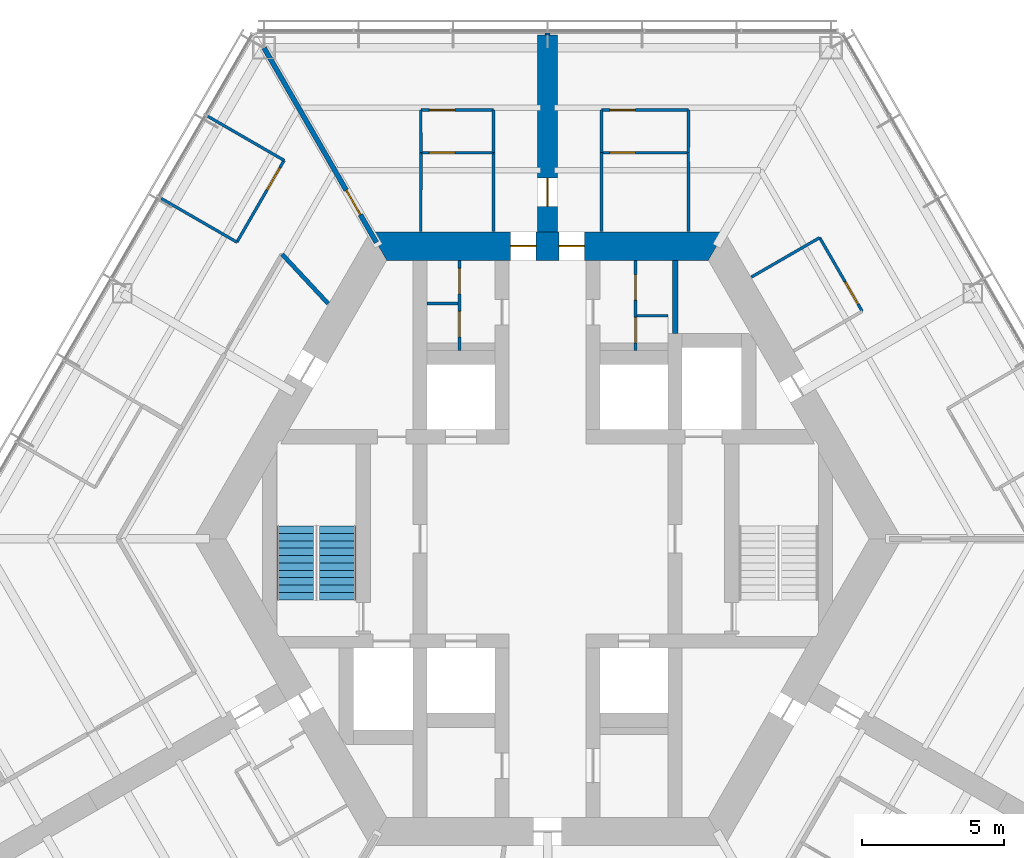
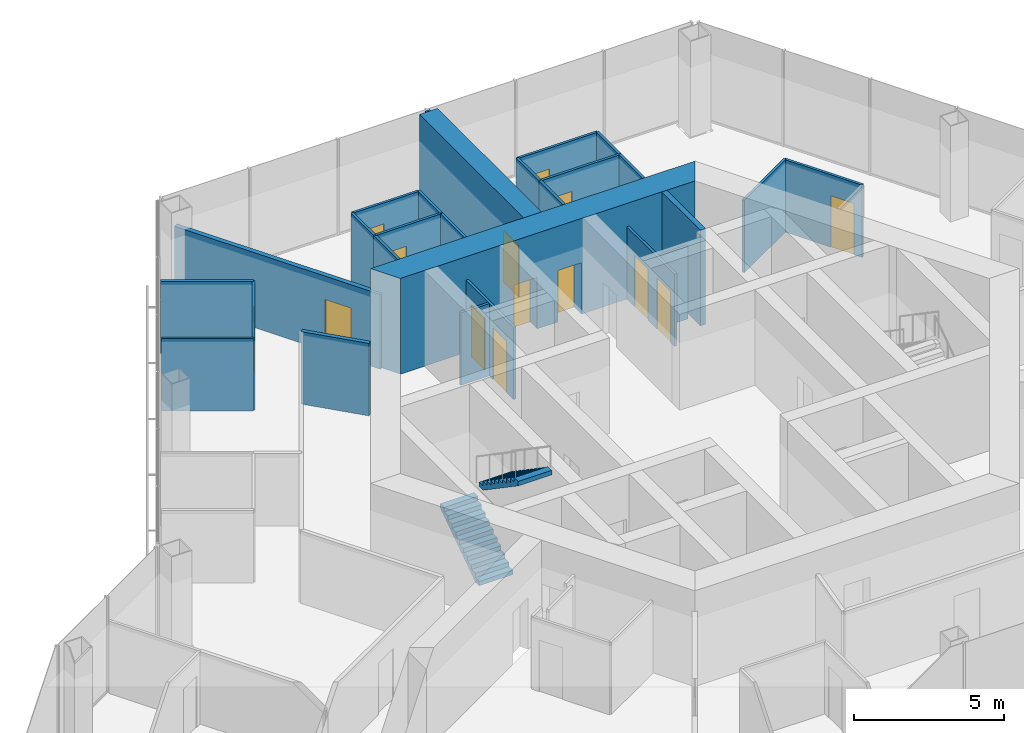
# One storey, part 15 of 18: 27 walls, 14 doors, 2 stair flights, 14 openings, 1 element without a shape of its own.
"""IFC4 building model written with IfcOpenShell, lengths in metres."""

from ifc_helpers import new_model, si_unit, direction, frame, frame_2d, origin, place, context, subcontext, project, spatial, polyline, rectangle, outline, extrude, material, layer, layer_set, type_object, element, fill, aggregate, save


model = new_model("IFC4")

# Units and contexts
model_context = context("Model", 3, precision=1e-05, world=origin(), true_north=direction((0.0, 1.0)))
body_context = subcontext(model_context, "Body", "Model", "MODEL_VIEW")
ifc_project = project(units=[si_unit("LENGTHUNIT", "METRE"), si_unit("AREAUNIT", "SQUARE_METRE"), si_unit("VOLUMEUNIT", "CUBIC_METRE"), si_unit("PLANEANGLEUNIT", "RADIAN"), si_unit("MASSUNIT", "GRAM", prefix="KILO")], contexts=[model_context])

# Site, building, storey
site_placement = place(None, origin())
site = spatial("IfcSite", under=ifc_project, at=site_placement, CompositionType="ELEMENT")
building_placement = place(site_placement, origin())
building = spatial("IfcBuilding", under=site, at=building_placement, Name="Kasaneha Research Tower", CompositionType="ELEMENT")
storey_placement = place(building_placement, frame((0.0, 0.0, 137.0)))
storey = spatial("IfcBuildingStorey", under=building, at=storey_placement, Name="L34", CompositionType="ELEMENT", Elevation=137.0)

# Wall, openings, doors
ifc_material_1 = material(Name="Concrete Fc70", Category="concrete")
ifc_layer_1 = layer(ifc_material_1, 1.0)
ifc_layer_set_1 = layer_set([ifc_layer_1], Name="Core wall 1000 Fc70")
wall_type_1 = type_object("IfcWallType", Name="Core wall 1000 Fc70", PredefinedType="SHEAR", material=ifc_layer_set_1)
wall_1_placement = place(storey_placement, frame((5.961181640625, 10.324951171875, 0.0), z_axis=(0.0, 0.0, 1.0), x_axis=(-1.0, 0.0, 0.0)))
wall_1 = element("IfcWall", 1, at=wall_1_placement, inside=storey, type_object=wall_type_1, Name="Core wall 090 L34", PredefinedType="SHEAR", context=body_context, shape_type="SweptSolid", body=[
    extrude(outline(polyline([(-0.28857421875, -0.5), (4.6611328125, -0.5), (5.56103515625, -0.5), (6.361083984375, -0.5), (7.260986328125, -0.5), (12.2109375, -0.5), (11.6337890625, 0.5), (7.260986328125, 0.5), (6.361083984375, 0.5), (5.56103515625, 0.5), (4.6611328125, 0.5), (0.28857421875, 0.5), (-0.28857421875, -0.5)])), origin(), (0.0, 0.0, 1.0), 3.89990234375),
])
opening_1_placement = place(wall_1_placement, frame((6.361083984375, 0.0, 0.0)))
opening_1 = element("IfcOpeningElement", 2, at=opening_1_placement, cuts=wall_1, Name="Opening L34-D01", PredefinedType="OPENING", context=body_context, shape_type="SweptSolid", body=[
    extrude(rectangle(XDim=0.89990234375, YDim=2.10009765625, at=frame_2d((0.449951171875, 1.050048828125))), frame((0.0, 0.510009765625, 0.0), z_axis=(0.0, -1.0, 0.0), x_axis=(1.0, 0.0, 0.0)), (0.0, 0.0, 1.0), 1.02001953125),
])
opening_2_placement = place(wall_1_placement, frame((4.6611328125, 0.0, 0.0)))
opening_2 = element("IfcOpeningElement", 3, at=opening_2_placement, cuts=wall_1, Name="Opening L34-D02", PredefinedType="OPENING", context=body_context, shape_type="SweptSolid", body=[
    extrude(rectangle(XDim=0.89990234375, YDim=2.10009765625, at=frame_2d((0.449951171875, 1.050048828125))), frame((0.0, 0.510009765625, 0.0), z_axis=(0.0, -1.0, 0.0), x_axis=(1.0, 0.0, 0.0)), (0.0, 0.0, 1.0), 1.02001953125),
])
ifc_material_2 = material(Name="Steel", Category="steel")
door_type_1 = type_object("IfcDoorType", Name="Toilet door FD20 900x2100", OperationType="NOTDEFINED", PredefinedType="DOOR", material=ifc_material_2)
door_1_placement = place(opening_1_placement, origin())
door_1 = element("IfcDoor", 4, at=door_1_placement, inside=storey, type_object=door_type_1, Name="Core door north 1 L34-D01", OperationType="SINGLE_SWING_RIGHT", OverallHeight=2.10009765625, OverallWidth=0.89990234375, PredefinedType="DOOR", context=body_context, shape_type="SweptSolid", body=[
    extrude(rectangle(XDim=0.89990234375, YDim=2.10009765625, at=frame_2d((0.449951171875, 1.050048828125))), frame((0.0, 0.02490234375, 0.0), z_axis=(0.0, -1.0, 0.0), x_axis=(1.0, 0.0, 0.0)), (0.0, 0.0, 1.0), 0.050048828125),
])
fill(opening_1, door_1)
door_2_placement = place(opening_2_placement, origin())
door_2 = element("IfcDoor", 5, at=door_2_placement, inside=storey, type_object=door_type_1, Name="Core door north 2 L34-D02", OperationType="SINGLE_SWING_LEFT", OverallHeight=2.10009765625, OverallWidth=0.89990234375, PredefinedType="DOOR", context=body_context, shape_type="SweptSolid", body=[
    extrude(rectangle(XDim=0.89990234375, YDim=2.10009765625, at=frame_2d((0.449951171875, 1.050048828125))), frame((0.0, 0.02490234375, 0.0), z_axis=(0.0, -1.0, 0.0), x_axis=(1.0, 0.0, 0.0)), (0.0, 0.0, 1.0), 0.050048828125),
])
fill(opening_2, door_2)

ifc_material_3 = material(Name="Gypsum board on steel studs, one layer each side", Category="steel")
ifc_layer_2 = layer(ifc_material_3, 0.10009765625)
ifc_layer_set_2 = layer_set([ifc_layer_2], Name="Office partition 100")
wall_type_2 = type_object("IfcWallType", Name="Office partition 100", PredefinedType="PARTITIONING", material=ifc_layer_set_2)
wall_2_placement = place(storey_placement, frame((-3.10009765625, 6.64990234375, 0.0), z_axis=(0.0, 0.0, 1.0), x_axis=(0.0, 1.0, 0.0)))
wall_2 = element("IfcWall", 6, at=wall_2_placement, inside=storey, type_object=wall_type_2, Name="Office partition TBM1 L34", PredefinedType="PARTITIONING", context=body_context, shape_type="SweptSolid", body=[
    extrude(rectangle(XDim=3.175048828125, YDim=0.10009765625, at=frame_2d((1.58740234375, 0.0))), origin(), (0.0, 0.0, 1.0), 2.949951171875),
])
opening_3_placement = place(wall_2_placement, frame((0.47509765625, 0.0, 0.0)))
opening_3 = element("IfcOpeningElement", 7, at=opening_3_placement, cuts=wall_2, Name="Opening L34-D20", PredefinedType="OPENING", context=body_context, shape_type="SweptSolid", body=[
    extrude(rectangle(XDim=0.89990234375, YDim=2.10009765625, at=frame_2d((0.449951171875, 1.050048828125))), frame((0.0, 0.06005859375, 0.0), z_axis=(0.0, -1.0, 0.0), x_axis=(1.0, 0.0, 0.0)), (0.0, 0.0, 1.0), 0.1201171875),
])
opening_4_placement = place(wall_2_placement, frame((1.987548828125, 0.0, 0.0)))
opening_4 = element("IfcOpeningElement", 8, at=opening_4_placement, cuts=wall_2, Name="Opening L34-D21", PredefinedType="OPENING", context=body_context, shape_type="SweptSolid", body=[
    extrude(rectangle(XDim=0.89990234375, YDim=2.10009765625, at=frame_2d((0.449951171875, 1.050048828125))), frame((0.0, 0.06005859375, 0.0), z_axis=(0.0, -1.0, 0.0), x_axis=(1.0, 0.0, 0.0)), (0.0, 0.0, 1.0), 0.1201171875),
])
ifc_material_4 = material(Name="Steel", Category="steel")
door_type_2 = type_object("IfcDoorType", Name="Toilet lobby door FD30 900x2100", OperationType="NOTDEFINED", PredefinedType="DOOR", material=ifc_material_4)
door_3_placement = place(opening_3_placement, origin())
door_3 = element("IfcDoor", 9, at=door_3_placement, inside=storey, type_object=door_type_2, Name="Men's WC door L34-D20", OperationType="SINGLE_SWING_RIGHT", OverallHeight=2.10009765625, OverallWidth=0.89990234375, PredefinedType="DOOR", context=body_context, shape_type="SweptSolid", body=[
    extrude(rectangle(XDim=0.89990234375, YDim=2.10009765625, at=frame_2d((0.449951171875, 1.050048828125))), frame((0.0, 0.02490234375, 0.0), z_axis=(0.0, -1.0, 0.0), x_axis=(1.0, 0.0, 0.0)), (0.0, 0.0, 1.0), 0.050048828125),
])
fill(opening_3, door_3)
door_4_placement = place(opening_4_placement, origin())
door_4 = element("IfcDoor", 10, at=door_4_placement, inside=storey, type_object=door_type_2, Name="Cleaner's store door L34-D21", OperationType="SINGLE_SWING_RIGHT", OverallHeight=2.10009765625, OverallWidth=0.89990234375, PredefinedType="DOOR", context=body_context, shape_type="SweptSolid", body=[
    extrude(rectangle(XDim=0.89990234375, YDim=2.10009765625, at=frame_2d((0.449951171875, 1.050048828125))), frame((0.0, 0.02490234375, 0.0), z_axis=(0.0, -1.0, 0.0), x_axis=(1.0, 0.0, 0.0)), (0.0, 0.0, 1.0), 0.050048828125),
])
fill(opening_4, door_4)

# Wall
wall_3_placement = place(storey_placement, frame((-3.14990234375, 8.300048828125, 0.0), z_axis=(0.0, 0.0, 1.0), x_axis=(-1.0, 0.0, 0.0)))
element("IfcWall", 11, at=wall_3_placement, inside=storey, type_object=wall_type_2, Name="Office partition TBM2 L34", PredefinedType="PARTITIONING", context=body_context, shape_type="SweptSolid", body=[
    extrude(rectangle(XDim=1.10009765625, YDim=0.10009765625, at=frame_2d((0.550048828125, 0.0))), origin(), (0.0, 0.0, 1.0), 2.949951171875),
])

# Wall, openings, doors
wall_4_placement = place(storey_placement, frame((3.10009765625, 6.64990234375, 0.0), z_axis=(0.0, 0.0, 1.0), x_axis=(0.0, 1.0, 0.0)))
wall_4 = element("IfcWall", 12, at=wall_4_placement, inside=storey, type_object=wall_type_2, Name="Office partition TBF1 L34", PredefinedType="PARTITIONING", context=body_context, shape_type="SweptSolid", body=[
    extrude(rectangle(XDim=3.175048828125, YDim=0.10009765625, at=frame_2d((1.58740234375, 0.0))), origin(), (0.0, 0.0, 1.0), 2.949951171875),
])
opening_5_placement = place(wall_4_placement, frame((0.258056640625, 0.0, 0.0)))
opening_5 = element("IfcOpeningElement", 13, at=opening_5_placement, cuts=wall_4, Name="Opening L34-D22", PredefinedType="OPENING", context=body_context, shape_type="SweptSolid", body=[
    extrude(rectangle(XDim=0.89990234375, YDim=2.10009765625, at=frame_2d((0.449951171875, 1.050048828125))), frame((0.0, 0.06005859375, 0.0), z_axis=(0.0, -1.0, 0.0), x_axis=(1.0, 0.0, 0.0)), (0.0, 0.0, 1.0), 0.1201171875),
])
opening_6_placement = place(wall_4_placement, frame((1.7705078125, 0.0, 0.0)))
opening_6 = element("IfcOpeningElement", 14, at=opening_6_placement, cuts=wall_4, Name="Opening L34-D23", PredefinedType="OPENING", context=body_context, shape_type="SweptSolid", body=[
    extrude(rectangle(XDim=0.89990234375, YDim=2.10009765625, at=frame_2d((0.449951171875, 1.050048828125))), frame((0.0, 0.06005859375, 0.0), z_axis=(0.0, -1.0, 0.0), x_axis=(1.0, 0.0, 0.0)), (0.0, 0.0, 1.0), 0.1201171875),
])
door_5_placement = place(opening_5_placement, origin())
door_5 = element("IfcDoor", 15, at=door_5_placement, inside=storey, type_object=door_type_2, Name="Women's WC door L34-D22", OperationType="SINGLE_SWING_RIGHT", OverallHeight=2.10009765625, OverallWidth=0.89990234375, PredefinedType="DOOR", context=body_context, shape_type="SweptSolid", body=[
    extrude(rectangle(XDim=0.89990234375, YDim=2.10009765625, at=frame_2d((0.449951171875, 1.050048828125))), frame((0.0, 0.02490234375, 0.0), z_axis=(0.0, -1.0, 0.0), x_axis=(1.0, 0.0, 0.0)), (0.0, 0.0, 1.0), 0.050048828125),
])
fill(opening_5, door_5)
door_6_placement = place(opening_6_placement, origin())
door_6 = element("IfcDoor", 16, at=door_6_placement, inside=storey, type_object=door_type_2, Name="Shower room door L34-D23", OperationType="SINGLE_SWING_RIGHT", OverallHeight=2.10009765625, OverallWidth=0.89990234375, PredefinedType="DOOR", context=body_context, shape_type="SweptSolid", body=[
    extrude(rectangle(XDim=0.89990234375, YDim=2.10009765625, at=frame_2d((0.449951171875, 1.050048828125))), frame((0.0, 0.02490234375, 0.0), z_axis=(0.0, -1.0, 0.0), x_axis=(1.0, 0.0, 0.0)), (0.0, 0.0, 1.0), 0.050048828125),
])
fill(opening_6, door_6)

# Wall
wall_5_placement = place(storey_placement, frame((3.14990234375, 7.865966796875, 0.0), z_axis=(0.0, 0.0, 1.0), x_axis=(1.0, 0.0, 0.0)))
element("IfcWall", 17, at=wall_5_placement, inside=storey, type_object=wall_type_2, Name="Office partition TBF2 L34", PredefinedType="PARTITIONING", context=body_context, shape_type="SweptSolid", body=[
    extrude(rectangle(XDim=1.10009765625, YDim=0.10009765625, at=frame_2d((0.550048828125, 0.0))), origin(), (0.0, 0.0, 1.0), 2.949951171875),
])

# Wall, opening, door
wall_6_placement = place(storey_placement, frame((1.89990234375, 13.6201171875, 0.0), z_axis=(0.0, 0.0, 1.0), x_axis=(1.0, 0.0, 0.0)))
wall_6 = element("IfcWall", 18, at=wall_6_placement, inside=storey, type_object=wall_type_2, Name="Office partition FAE01 L34", PredefinedType="PARTITIONING", context=body_context, shape_type="SweptSolid", body=[
    extrude(rectangle(XDim=3.071044921875, YDim=0.10009765625, at=frame_2d((1.53564453125, 0.0))), origin(), (0.0, 0.0, 1.0), 2.949951171875),
])
opening_7_placement = place(wall_6_placement, frame((0.300048828125, 0.0, 0.0)))
opening_7 = element("IfcOpeningElement", 19, at=opening_7_placement, cuts=wall_6, Name="Opening L34-D27", PredefinedType="OPENING", context=body_context, shape_type="SweptSolid", body=[
    extrude(rectangle(XDim=0.89990234375, YDim=2.10009765625, at=frame_2d((0.449951171875, 1.050048828125))), frame((0.0, 0.06005859375, 0.0), z_axis=(0.0, -1.0, 0.0), x_axis=(1.0, 0.0, 0.0)), (0.0, 0.0, 1.0), 0.1201171875),
])
door_7_placement = place(opening_7_placement, origin())
door_7 = element("IfcDoor", 20, at=door_7_placement, inside=storey, type_object=door_type_2, Name="Women's WC door L34-D27", OperationType="SINGLE_SWING_LEFT", OverallHeight=2.10009765625, OverallWidth=0.89990234375, PredefinedType="DOOR", context=body_context, shape_type="SweptSolid", body=[
    extrude(rectangle(XDim=0.89990234375, YDim=2.10009765625, at=frame_2d((0.449951171875, 1.050048828125))), frame((0.0, 0.02490234375, 0.0), z_axis=(0.0, -1.0, 0.0), x_axis=(1.0, 0.0, 0.0)), (0.0, 0.0, 1.0), 0.050048828125),
])
fill(opening_7, door_7)

# Walls
for number, where, z_axis, x_axis, name in (
    (21, (1.89990234375, 10.844970703125, 0.0), (0.0, 0.0, 1.0), (0.001668567099, 0.999998607941, 0.0), "Office partition FAE02 L34"),
    (22, (4.96630859375, 13.625, 0.0), (0.0, 0.0, 1.0), (0.001668567099, -0.999998607941, 0.0), "Office partition FAE03 L34"),
):
    element("IfcWall", number, at=place(storey_placement, frame(where, z_axis=z_axis, x_axis=x_axis)), inside=storey, type_object=wall_type_2, Name=name, PredefinedType="PARTITIONING", context=body_context, shape_type="SweptSolid", body=[
        extrude(rectangle(XDim=2.780029296875, YDim=0.10009765625, at=frame_2d((1.39013671875, 0.0))), origin(), (0.0, 0.0, 1.0), 2.949951171875),
    ])

# Wall, opening, door
wall_7_placement = place(storey_placement, frame((1.89990234375, 15.125, 0.0), z_axis=(0.0, 0.0, 1.0), x_axis=(1.0, 0.0, 0.0)))
wall_7 = element("IfcWall", 23, at=wall_7_placement, inside=storey, type_object=wall_type_2, Name="Office partition FAE04 L34", PredefinedType="PARTITIONING", context=body_context, shape_type="SweptSolid", body=[
    extrude(rectangle(XDim=3.071044921875, YDim=0.10009765625, at=frame_2d((1.53564453125, 0.0))), origin(), (0.0, 0.0, 1.0), 2.949951171875),
])
opening_8_placement = place(wall_7_placement, frame((0.300048828125, 0.0, 0.0)))
opening_8 = element("IfcOpeningElement", 24, at=opening_8_placement, cuts=wall_7, Name="Opening L34-D28", PredefinedType="OPENING", context=body_context, shape_type="SweptSolid", body=[
    extrude(rectangle(XDim=0.89990234375, YDim=2.10009765625, at=frame_2d((0.449951171875, 1.050048828125))), frame((0.0, 0.06005859375, 0.0), z_axis=(0.0, -1.0, 0.0), x_axis=(1.0, 0.0, 0.0)), (0.0, 0.0, 1.0), 0.1201171875),
])
door_8_placement = place(opening_8_placement, origin())
door_8 = element("IfcDoor", 25, at=door_8_placement, inside=storey, type_object=door_type_2, Name="Toilet lobby door L34-D28", OperationType="SINGLE_SWING_LEFT", OverallHeight=2.10009765625, OverallWidth=0.89990234375, PredefinedType="DOOR", context=body_context, shape_type="SweptSolid", body=[
    extrude(rectangle(XDim=0.89990234375, YDim=2.10009765625, at=frame_2d((0.449951171875, 1.050048828125))), frame((0.0, 0.02490234375, 0.0), z_axis=(0.0, -1.0, 0.0), x_axis=(1.0, 0.0, 0.0)), (0.0, 0.0, 1.0), 0.050048828125),
])
fill(opening_8, door_8)

# Walls
for number, where, z_axis, x_axis, name in (
    (26, (1.904541015625, 13.625, 0.0), (0.0, 0.0, 1.0), (-0.00309243313, 0.999995218417, 0.0), "Office partition FAE05 L34"),
    (27, (4.970947265625, 15.125, 0.0), (0.0, 0.0, 1.0), (-0.00309243313, -0.999995218417, 0.0), "Office partition FAE06 L34"),
):
    element("IfcWall", number, at=place(storey_placement, frame(where, z_axis=z_axis, x_axis=x_axis)), inside=storey, type_object=wall_type_2, Name=name, PredefinedType="PARTITIONING", context=body_context, shape_type="SweptSolid", body=[
        extrude(rectangle(XDim=1.5, YDim=0.10009765625, at=frame_2d((0.75, 0.0))), origin(), (0.0, 0.0, 1.0), 2.949951171875),
    ])
wall_8_placement = place(storey_placement, frame((7.19189453125, 9.23291015625, 0.0), z_axis=(0.0, 0.0, 1.0), x_axis=(0.866018876994, 0.500011304563, 0.0)))
element("IfcWall", 28, at=wall_8_placement, inside=storey, type_object=wall_type_2, Name="Office partition FAE07 L34", PredefinedType="PARTITIONING", context=body_context, shape_type="SweptSolid", body=[
    extrude(rectangle(XDim=2.7802734375, YDim=0.10009765625, at=frame_2d((1.39013671875, 0.0))), origin(), (0.0, 0.0, 1.0), 2.949951171875),
])

# Wall, opening, door
wall_9_placement = place(storey_placement, frame((9.599609375, 10.623046875, 0.0), z_axis=(0.0, 0.0, 1.0), x_axis=(0.499990139034, -0.866031096941, 0.0)))
wall_9 = element("IfcWall", 29, at=wall_9_placement, inside=storey, type_object=wall_type_2, Name="Office partition FAE08 L34", PredefinedType="PARTITIONING", context=body_context, shape_type="SweptSolid", body=[
    extrude(rectangle(XDim=3.0, YDim=0.10009765625, at=frame_2d((1.5, 0.0))), origin(), (0.0, 0.0, 1.0), 2.949951171875),
])
opening_9_placement = place(wall_9_placement, frame((1.800048828125, 0.0, 0.0)))
opening_9 = element("IfcOpeningElement", 30, at=opening_9_placement, cuts=wall_9, Name="Opening L34-D29", PredefinedType="OPENING", context=body_context, shape_type="SweptSolid", body=[
    extrude(rectangle(XDim=0.89990234375, YDim=2.10009765625, at=frame_2d((0.449951171875, 1.050048828125))), frame((0.0, 0.06005859375, 0.0), z_axis=(0.0, -1.0, 0.0), x_axis=(1.0, 0.0, 0.0)), (0.0, 0.0, 1.0), 0.1201171875),
])
ifc_material_5 = material(Name="Timber veneer", Category="wood")
door_type_3 = type_object("IfcDoorType", Name="Office door 900x2100", OperationType="SINGLE_SWING_LEFT", PredefinedType="DOOR", material=ifc_material_5)
door_9_placement = place(opening_9_placement, origin())
door_9 = element("IfcDoor", 31, at=door_9_placement, inside=storey, type_object=door_type_3, Name="Pantry door L34-D29", OperationType="SINGLE_SWING_RIGHT", OverallHeight=2.10009765625, OverallWidth=0.89990234375, PredefinedType="DOOR", context=body_context, shape_type="SweptSolid", body=[
    extrude(rectangle(XDim=0.89990234375, YDim=2.10009765625, at=frame_2d((0.449951171875, 1.050048828125))), frame((0.0, 0.02490234375, 0.0), z_axis=(0.0, -1.0, 0.0), x_axis=(1.0, 0.0, 0.0)), (0.0, 0.0, 1.0), 0.050048828125),
])
fill(opening_9, door_9)

wall_10_placement = place(storey_placement, frame((-4.470947265625, 13.6201171875, 0.0), z_axis=(0.0, 0.0, 1.0), x_axis=(1.0, 0.0, 0.0)))
wall_10 = element("IfcWall", 32, at=wall_10_placement, inside=storey, type_object=wall_type_2, Name="Office partition FAW01 L34", PredefinedType="PARTITIONING", context=body_context, shape_type="SweptSolid", body=[
    extrude(rectangle(XDim=2.571044921875, YDim=0.10009765625, at=frame_2d((1.28564453125, 0.0))), origin(), (0.0, 0.0, 1.0), 2.949951171875),
])
opening_10_placement = place(wall_10_placement, frame((0.300048828125, 0.0, 0.0)))
opening_10 = element("IfcOpeningElement", 33, at=opening_10_placement, cuts=wall_10, Name="Opening L34-D32", PredefinedType="OPENING", context=body_context, shape_type="SweptSolid", body=[
    extrude(rectangle(XDim=0.89990234375, YDim=2.10009765625, at=frame_2d((0.449951171875, 1.050048828125))), frame((0.0, 0.06005859375, 0.0), z_axis=(0.0, -1.0, 0.0), x_axis=(1.0, 0.0, 0.0)), (0.0, 0.0, 1.0), 0.1201171875),
])
door_10_placement = place(opening_10_placement, origin())
door_10 = element("IfcDoor", 34, at=door_10_placement, inside=storey, type_object=door_type_2, Name="Men's WC door L34-D32", OperationType="SINGLE_SWING_LEFT", OverallHeight=2.10009765625, OverallWidth=0.89990234375, PredefinedType="DOOR", context=body_context, shape_type="SweptSolid", body=[
    extrude(rectangle(XDim=0.89990234375, YDim=2.10009765625, at=frame_2d((0.449951171875, 1.050048828125))), frame((0.0, 0.02490234375, 0.0), z_axis=(0.0, -1.0, 0.0), x_axis=(1.0, 0.0, 0.0)), (0.0, 0.0, 1.0), 0.050048828125),
])
fill(opening_10, door_10)

# Walls
for number, where, z_axis, x_axis, name in (
    (35, (-4.470947265625, 10.844970703125, 0.0), (0.0, 0.0, 1.0), (0.001668567099, 0.999998607941, 0.0), "Office partition FAW02 L34"),
    (36, (-1.90478515625, 13.625, 0.0), (0.0, 0.0, 1.0), (0.001756386155, -0.999998457553, 0.0), "Office partition FAW03 L34"),
):
    element("IfcWall", number, at=place(storey_placement, frame(where, z_axis=z_axis, x_axis=x_axis)), inside=storey, type_object=wall_type_2, Name=name, PredefinedType="PARTITIONING", context=body_context, shape_type="SweptSolid", body=[
        extrude(rectangle(XDim=2.780029296875, YDim=0.10009765625, at=frame_2d((1.39013671875, 0.0))), origin(), (0.0, 0.0, 1.0), 2.949951171875),
    ])

# Wall, opening, door
wall_11_placement = place(storey_placement, frame((-4.470947265625, 15.125, 0.0), z_axis=(0.0, 0.0, 1.0), x_axis=(1.0, 0.0, 0.0)))
wall_11 = element("IfcWall", 37, at=wall_11_placement, inside=storey, type_object=wall_type_2, Name="Office partition FAW04 L34", PredefinedType="PARTITIONING", context=body_context, shape_type="SweptSolid", body=[
    extrude(rectangle(XDim=2.571044921875, YDim=0.10009765625, at=frame_2d((1.28564453125, 0.0))), origin(), (0.0, 0.0, 1.0), 2.949951171875),
])
opening_11_placement = place(wall_11_placement, frame((0.300048828125, 0.0, 0.0)))
opening_11 = element("IfcOpeningElement", 38, at=opening_11_placement, cuts=wall_11, Name="Opening L34-D33", PredefinedType="OPENING", context=body_context, shape_type="SweptSolid", body=[
    extrude(rectangle(XDim=0.89990234375, YDim=2.10009765625, at=frame_2d((0.449951171875, 1.050048828125))), frame((0.0, 0.06005859375, 0.0), z_axis=(0.0, -1.0, 0.0), x_axis=(1.0, 0.0, 0.0)), (0.0, 0.0, 1.0), 0.1201171875),
])
door_11_placement = place(opening_11_placement, origin())
door_11 = element("IfcDoor", 39, at=door_11_placement, inside=storey, type_object=door_type_2, Name="Toilet lobby door L34-D33", OperationType="SINGLE_SWING_LEFT", OverallHeight=2.10009765625, OverallWidth=0.89990234375, PredefinedType="DOOR", context=body_context, shape_type="SweptSolid", body=[
    extrude(rectangle(XDim=0.89990234375, YDim=2.10009765625, at=frame_2d((0.449951171875, 1.050048828125))), frame((0.0, 0.02490234375, 0.0), z_axis=(0.0, -1.0, 0.0), x_axis=(1.0, 0.0, 0.0)), (0.0, 0.0, 1.0), 0.050048828125),
])
fill(opening_11, door_11)

# Walls
for number, where, z_axis, x_axis, name in (
    (40, (-4.46630859375, 13.625, 0.0), (0.0, 0.0, 1.0), (-0.00309243313, 0.999995218417, 0.0), "Office partition FAW05 L34"),
    (41, (-1.89990234375, 15.125, 0.0), (0.0, 0.0, 1.0), (-0.003255191087, -0.999994701851, 0.0), "Office partition FAW06 L34"),
):
    element("IfcWall", number, at=place(storey_placement, frame(where, z_axis=z_axis, x_axis=x_axis)), inside=storey, type_object=wall_type_2, Name=name, PredefinedType="PARTITIONING", context=body_context, shape_type="SweptSolid", body=[
        extrude(rectangle(XDim=1.5, YDim=0.10009765625, at=frame_2d((0.75, 0.0))), origin(), (0.0, 0.0, 1.0), 2.949951171875),
    ])
wall_12_placement = place(storey_placement, frame((-11.979736328125, 14.901611328125, 0.0), z_axis=(0.0, 0.0, 1.0), x_axis=(0.866042875753, -0.499969736442, 0.0)))
element("IfcWall", 42, at=wall_12_placement, inside=storey, type_object=wall_type_2, Name="Office partition FBN11 L34", PredefinedType="PARTITIONING", context=body_context, shape_type="SweptSolid", body=[
    extrude(rectangle(XDim=3.105224609375, YDim=0.10009765625, at=frame_2d((1.552734375, 0.0))), origin(), (0.0, 0.0, 1.0), 2.949951171875),
])
wall_13_placement = place(storey_placement, frame((-10.9560546875, 10.464599609375, 0.0), z_axis=(0.0, 0.0, 1.0), x_axis=(-0.866044340336, 0.499967199496, 0.0)))
element("IfcWall", 43, at=wall_13_placement, inside=storey, type_object=wall_type_2, Name="Office partition FBN12 L34", PredefinedType="PARTITIONING", context=body_context, shape_type="SweptSolid", body=[
    extrude(rectangle(XDim=3.079833984375, YDim=0.10009765625, at=frame_2d((1.5400390625, 0.0))), origin(), (0.0, 0.0, 1.0), 2.949951171875),
])

# Wall, opening, door
wall_14_placement = place(storey_placement, frame((-9.29052734375, 13.34912109375, 0.0), z_axis=(0.0, 0.0, 1.0), x_axis=(-0.500033344505, -0.86600615147, 0.0)))
wall_14 = element("IfcWall", 44, at=wall_14_placement, inside=storey, type_object=wall_type_2, Name="Office partition FBN13 L34", PredefinedType="PARTITIONING", context=body_context, shape_type="SweptSolid", body=[
    extrude(rectangle(XDim=3.330810546875, YDim=0.10009765625, at=frame_2d((1.66552734375, 0.0))), origin(), (0.0, 0.0, 1.0), 2.949951171875),
])
opening_12_placement = place(wall_14_placement, frame((0.300048828125, 0.0, 0.0)))
opening_12 = element("IfcOpeningElement", 45, at=opening_12_placement, cuts=wall_14, Name="Opening L34-D38", PredefinedType="OPENING", context=body_context, shape_type="SweptSolid", body=[
    extrude(rectangle(XDim=0.89990234375, YDim=2.10009765625, at=frame_2d((0.449951171875, 1.050048828125))), frame((0.0, 0.06005859375, 0.0), z_axis=(0.0, -1.0, 0.0), x_axis=(1.0, 0.0, 0.0)), (0.0, 0.0, 1.0), 0.1201171875),
])
door_12_placement = place(opening_12_placement, origin())
door_12 = element("IfcDoor", 46, at=door_12_placement, inside=storey, type_object=door_type_3, Name="Project room door L34-D38", OperationType="SINGLE_SWING_LEFT", OverallHeight=2.10009765625, OverallWidth=0.89990234375, PredefinedType="DOOR", context=body_context, shape_type="SweptSolid", body=[
    extrude(rectangle(XDim=0.89990234375, YDim=2.10009765625, at=frame_2d((0.449951171875, 1.050048828125))), frame((0.0, 0.02490234375, 0.0), z_axis=(0.0, -1.0, 0.0), x_axis=(1.0, 0.0, 0.0)), (0.0, 0.0, 1.0), 0.050048828125),
])
fill(opening_12, door_12)

# Wall
ifc_material_6 = material(Name="Concrete block", Category="concrete")
ifc_layer_3 = layer(ifc_material_6, 0.199951171875)
ifc_layer_set_3 = layer_set([ifc_layer_3], Name="Riser enclosure wall 200")
wall_type_3 = type_object("IfcWallType", Name="Riser enclosure wall 200", PredefinedType="STANDARD", material=ifc_layer_set_3)
wall_15_placement = place(storey_placement, frame((4.5, 7.25, 0.0), z_axis=(0.0, 0.0, 1.0), x_axis=(0.0, 1.0, 0.0)))
element("IfcWall", 47, at=wall_15_placement, inside=storey, type_object=wall_type_3, Name="Riser enclosure wall L34", PredefinedType="STANDARD", context=body_context, shape_type="SweptSolid", body=[
    extrude(rectangle(XDim=2.574951171875, YDim=0.199951171875, at=frame_2d((1.28759765625, 0.0))), origin(), (0.0, 0.0, 1.0), 3.89990234375),
])

# Wall, opening, door
ifc_material_7 = material(Name="Concrete Fc70", Category="concrete")
ifc_layer_4 = layer(ifc_material_7, 0.699951171875)
ifc_layer_set_4 = layer_set([ifc_layer_4], Name="Spine wall 700 Fc70")
wall_type_4 = type_object("IfcWallType", Name="Spine wall 700 Fc70", PredefinedType="SHEAR", material=ifc_layer_set_4)
wall_16_placement = place(storey_placement, frame((0.0, 10.824951171875, 0.0), z_axis=(0.0, 0.0, 1.0), x_axis=(0.0, 1.0, 0.0)))
wall_16 = element("IfcWall", 48, at=wall_16_placement, inside=storey, type_object=wall_type_4, Name="Spine wall A L34", PredefinedType="SHEAR", context=body_context, shape_type="SweptSolid", body=[
    extrude(rectangle(XDim=6.945556640625, YDim=0.699951171875, at=frame_2d((3.47265625, 0.0))), origin(), (0.0, 0.0, 1.0), 3.89990234375),
])
opening_13_placement = place(wall_16_placement, frame((0.89990234375, 0.0, 0.0)))
opening_13 = element("IfcOpeningElement", 49, at=opening_13_placement, cuts=wall_16, Name="Opening L34-D17", PredefinedType="OPENING", context=body_context, shape_type="SweptSolid", body=[
    extrude(rectangle(XDim=1.0, YDim=2.10009765625, at=frame_2d((0.5, 1.050048828125))), frame((0.0, 0.35986328125, 0.0), z_axis=(0.0, -1.0, 0.0), x_axis=(1.0, 0.0, 0.0)), (0.0, 0.0, 1.0), 0.719970703125),
])
ifc_material_8 = material(Name="Steel", Category="steel")
door_type_4 = type_object("IfcDoorType", Name="Specified fire door FD60 1000x2100", OperationType="NOTDEFINED", PredefinedType="DOOR", material=ifc_material_8)
door_13_placement = place(opening_13_placement, origin())
door_13 = element("IfcDoor", 50, at=door_13_placement, inside=storey, type_object=door_type_4, Name="Spine doorway A L34-D17", OperationType="SINGLE_SWING_LEFT", OverallHeight=2.10009765625, OverallWidth=1.0, PredefinedType="DOOR", context=body_context, shape_type="SweptSolid", body=[
    extrude(rectangle(XDim=1.0, YDim=2.10009765625, at=frame_2d((0.5, 1.050048828125))), frame((0.0, 0.02490234375, 0.0), z_axis=(0.0, -1.0, 0.0), x_axis=(1.0, 0.0, 0.0)), (0.0, 0.0, 1.0), 0.050048828125),
])
fill(opening_13, door_13)

# Wall
ifc_material_9 = material(Name="Gypsum board on steel studs, two layers each side", Category="steel")
ifc_layer_5 = layer(ifc_material_9, 0.14990234375)
ifc_layer_set_5 = layer_set([ifc_layer_5], Name="Suite partition 150")
wall_type_5 = type_object("IfcWallType", Name="Suite partition 150", PredefinedType="PARTITIONING", material=ifc_layer_set_5)
wall_17_placement = place(storey_placement, frame((-9.360107421875, 10.03759765625, 0.0), z_axis=(0.0, 0.0, 1.0), x_axis=(0.681997114248, -0.731354863358, 0.0)))
element("IfcWall", 51, at=wall_17_placement, inside=storey, type_object=wall_type_5, Name="Suite partition FBN07 L34", PredefinedType="PARTITIONING", context=body_context, shape_type="SweptSolid", body=[
    extrude(outline(polyline([(0.0, -0.074951171875), (2.384033203125, -0.074951171875), (2.384033203125, 0.0), (2.382080078125, 0.074951171875), (0.0, 0.074951171875), (0.0, -0.074951171875)])), origin(), (0.0, 0.0, 1.0), 2.949951171875),
])

# Wall, opening, door
ifc_material_10 = material(Name="Gypsum board on steel studs, two layers each side", Category="steel")
ifc_layer_6 = layer(ifc_material_10, 0.175048828125)
ifc_layer_set_6 = layer_set([ifc_layer_6], Name="Tenancy fire partition 175")
wall_type_6 = type_object("IfcWallType", Name="Tenancy fire partition 175", PredefinedType="PARTITIONING", material=ifc_layer_set_6)
wall_18_placement = place(storey_placement, frame((-6.034912109375, 10.45263671875, 0.0), z_axis=(0.0, 0.0, 1.0), x_axis=(-0.499989830942, 0.866031274813, 0.0)))
wall_18 = element("IfcWall", 52, at=wall_18_placement, inside=storey, type_object=wall_type_6, Name="Tenancy fire partition T120 L34", PredefinedType="PARTITIONING", context=body_context, shape_type="SweptSolid", body=[
    extrude(rectangle(XDim=7.930419921875, YDim=0.175048828125, at=frame_2d((3.96533203125, 0.0))), origin(), (0.0, 0.0, 1.0), 3.050048828125),
])
opening_14_placement = place(wall_18_placement, frame((1.1298828125, 0.0, 0.0)))
opening_14 = element("IfcOpeningElement", 53, at=opening_14_placement, cuts=wall_18, Name="Opening L34-D25", PredefinedType="OPENING", context=body_context, shape_type="SweptSolid", body=[
    extrude(rectangle(XDim=1.0, YDim=2.10009765625, at=frame_2d((0.5, 1.050048828125))), frame((0.0, 0.09765625, 0.0), z_axis=(0.0, -1.0, 0.0), x_axis=(1.0, 0.0, 0.0)), (0.0, 0.0, 1.0), 0.195068359375),
])
ifc_material_11 = material(Name="Steel", Category="steel")
door_type_5 = type_object("IfcDoorType", Name="Suite entrance door FD60 1000x2100", OperationType="NOTDEFINED", PredefinedType="DOOR", material=ifc_material_11)
door_14_placement = place(opening_14_placement, origin())
door_14 = element("IfcDoor", 54, at=door_14_placement, inside=storey, type_object=door_type_5, Name="Connecting door L34-D25", OperationType="SINGLE_SWING_LEFT", OverallHeight=2.10009765625, OverallWidth=1.0, PredefinedType="DOOR", context=body_context, shape_type="SweptSolid", body=[
    extrude(rectangle(XDim=1.0, YDim=2.10009765625, at=frame_2d((0.5, 1.050048828125))), frame((0.0, 0.02490234375, 0.0), z_axis=(0.0, -1.0, 0.0), x_axis=(1.0, 0.0, 0.0)), (0.0, 0.0, 1.0), 0.050048828125),
])
fill(opening_14, door_14)

# Wall
wall_19_placement = place(storey_placement, frame((0.0, 17.7705078125, 0.0), z_axis=(0.0, 0.0, 1.0), x_axis=(0.0, 1.0, 0.0)))
element("IfcWall", 55, at=wall_19_placement, inside=storey, type_object=wall_type_6, Name="Spine wall closer SW3-700 L34", PredefinedType="PARTITIONING", context=body_context, shape_type="SweptSolid", body=[
    extrude(rectangle(XDim=0.080078125, YDim=0.175048828125, at=frame_2d((0.0400390625, 0.0))), origin(), (0.0, 0.0, 1.0), 3.89990234375),
])

# Stair, stair flights
ifc_material_12 = material(Name="Concrete Fc24", Category="concrete")
stair_type = type_object("IfcStairType", Name="Half-turn stair 22 risers", PredefinedType="HALF_TURN_STAIR", material=ifc_material_12)
stair_placement = place(storey_placement, origin())
stair = element("IfcStair", 56, at=stair_placement, inside=storey, type_object=stair_type, Name="Stair 2 L34", PredefinedType="HALF_TURN_STAIR")
ifc_material_13 = material(Name="Concrete Fc24", Category="concrete")
stair_flight_type = type_object("IfcStairFlightType", Name="Stair flight 11 risers 177.3", PredefinedType="STRAIGHT", material=ifc_material_13)
stair_flight_1_placement = place(storey_placement, frame((-8.89990234375, -2.14990234375, 0.0), z_axis=(0.0, 0.0, 1.0), x_axis=(0.0, 1.0, 0.0)))
stair_flight_1 = element("IfcStairFlight", 57, at=stair_flight_1_placement, type_object=stair_flight_type, Name="ST2-22R flight 1", NumberOfRisers=11, NumberOfTreads=10, PredefinedType="STRAIGHT", RiserHeight=0.177272727, TreadLength=0.26, context=body_context, shape_type="SweptSolid", body=[
    extrude(outline(polyline([(0.0, 0.0), (0.0, 0.17724609375), (0.260009765625, 0.17724609375), (0.260009765625, 0.3544921875), (0.52001953125, 0.3544921875), (0.52001953125, 0.53173828125), (0.780029296875, 0.53173828125), (0.780029296875, 0.708984375), (1.0400390625, 0.708984375), (1.0400390625, 0.886474609375), (1.300048828125, 0.886474609375), (1.300048828125, 1.063720703125), (1.56005859375, 1.063720703125), (1.56005859375, 1.240966796875), (1.820068359375, 1.240966796875), (1.820068359375, 1.418212890625), (2.080078125, 1.418212890625), (2.080078125, 1.595458984375), (2.340087890625, 1.595458984375), (2.340087890625, 1.772705078125), (2.60009765625, 1.772705078125), (2.60009765625, 1.949951171875), (2.60009765625, 1.59130859375), (0.26611328125, 0.0), (0.0, 0.0)])), frame((0.0, 0.64990234375, 0.0), z_axis=(0.0, -1.0, 0.0), x_axis=(1.0, 0.0, 0.0)), (0.0, 0.0, 1.0), 1.300048828125),
])
stair_flight_2_placement = place(storey_placement, frame((-7.39990234375, 0.449951171875, 1.949951171875), z_axis=(0.0, 0.0, 1.0), x_axis=(0.0, -1.0, 0.0)))
stair_flight_2 = element("IfcStairFlight", 58, at=stair_flight_2_placement, type_object=stair_flight_type, Name="ST2-22R flight 2", NumberOfRisers=11, NumberOfTreads=10, PredefinedType="STRAIGHT", RiserHeight=0.177272727, TreadLength=0.26, context=body_context, shape_type="SweptSolid", body=[
    extrude(outline(polyline([(0.0, 0.0), (0.0, 0.17724609375), (0.260009765625, 0.17724609375), (0.260009765625, 0.3544921875), (0.52001953125, 0.3544921875), (0.52001953125, 0.53173828125), (0.780029296875, 0.53173828125), (0.780029296875, 0.708984375), (1.0400390625, 0.708984375), (1.0400390625, 0.886474609375), (1.300048828125, 0.886474609375), (1.300048828125, 1.063720703125), (1.56005859375, 1.063720703125), (1.56005859375, 1.240966796875), (1.820068359375, 1.240966796875), (1.820068359375, 1.418212890625), (2.080078125, 1.418212890625), (2.080078125, 1.595458984375), (2.340087890625, 1.595458984375), (2.340087890625, 1.772705078125), (2.60009765625, 1.772705078125), (2.60009765625, 1.949951171875), (2.60009765625, 1.59130859375), (0.26611328125, 0.0), (0.0, 0.0)])), frame((0.0, 0.64990234375, 0.0), z_axis=(0.0, -1.0, 0.0), x_axis=(1.0, 0.0, 0.0)), (0.0, 0.0, 1.0), 1.300048828125),
])
aggregate(stair, [stair_flight_1, stair_flight_2])

save(model, "model.ifc")
